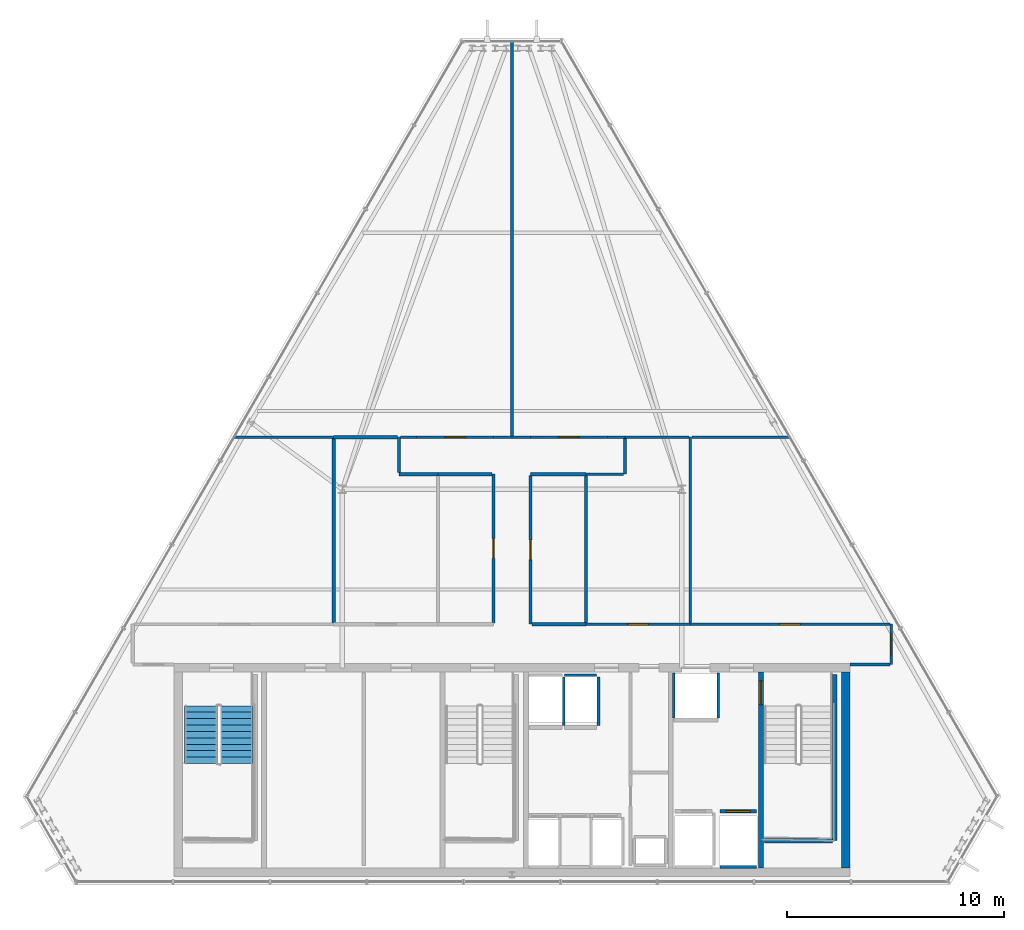
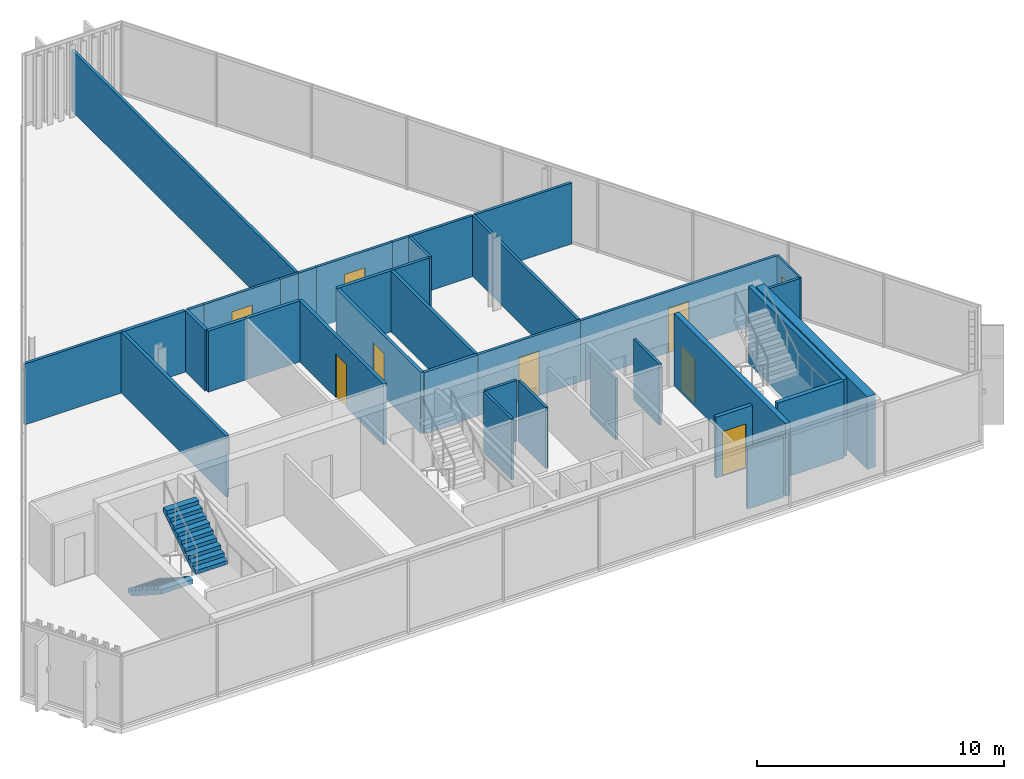
# One storey, part 28 of 32: 38 walls, 9 doors, 2 stair flights, 9 openings, 1 element without a shape of its own.
"""IFC4 building model written with IfcOpenShell, lengths in metres."""

from ifc_helpers import new_model, si_unit, direction, frame, frame_2d, origin, place, context, subcontext, project, spatial, polyline, rectangle, outline, extrude, material, layer, layer_set, type_object, element, fill, aggregate, save


model = new_model("IFC4")

# Units and contexts
model_context = context("Model", 3, precision=1e-05, world=origin(), true_north=direction((0.0, 1.0)))
body_context = subcontext(model_context, "Body", "Model", "MODEL_VIEW")
ifc_project = project(units=[si_unit("LENGTHUNIT", "METRE"), si_unit("AREAUNIT", "SQUARE_METRE"), si_unit("VOLUMEUNIT", "CUBIC_METRE"), si_unit("PLANEANGLEUNIT", "RADIAN"), si_unit("MASSUNIT", "GRAM", prefix="KILO")], contexts=[model_context])

# Site, building, storey
site_placement = place(None, origin())
site = spatial("IfcSite", under=ifc_project, at=site_placement, CompositionType="ELEMENT")
building_placement = place(site_placement, origin())
building = spatial("IfcBuilding", under=site, at=building_placement, Name="Ndaravel Arena Tower", CompositionType="ELEMENT")
storey_placement = place(building_placement, frame((0.0, 0.0, 287.10009765625)))
storey = spatial("IfcBuildingStorey", under=building, at=storey_placement, Name="L70", CompositionType="ELEMENT", Elevation=287.10009765625)

# Wall, opening, door
ifc_material_1 = material(Name="Concrete C50/60", Category="concrete")
ifc_layer_1 = layer(ifc_material_1, 0.219970703125)
ifc_layer_set_1 = layer_set([ifc_layer_1], Name="Concrete C50/60")
wall_type_1 = type_object("IfcWallType", Name="WALL-CORE-220", PredefinedType="SOLIDWALL", material=ifc_layer_set_1)
wall_1_placement = place(storey_placement, frame((53.449951171875, 5.800048828125, 0.0), z_axis=(0.0, 0.0, 1.0), x_axis=(0.0, 1.0, 0.0)))
wall_1 = element("IfcWall", 1, at=wall_1_placement, inside=storey, type_object=wall_type_1, Name="L70 Core Web Shear Wall 5", PredefinedType="SOLIDWALL", context=body_context, shape_type="SweptSolid", body=[
    extrude(rectangle(XDim=9.0, YDim=0.219970703125, at=frame_2d((4.5, 0.0))), origin(), (0.0, 0.0, 1.0), 3.579833984375),
])
opening_1_placement = place(wall_1_placement, frame((7.5, 0.0, 0.0)))
opening_1 = element("IfcOpeningElement", 2, at=opening_1_placement, cuts=wall_1, Name="Opening FD-01", PredefinedType="OPENING", context=body_context, shape_type="SweptSolid", body=[
    extrude(rectangle(XDim=1.10009765625, YDim=2.199951171875, at=frame_2d((0.550048828125, 1.10009765625))), frame((0.0, 0.10986328125, 0.0), z_axis=(0.0, -1.0, 0.0), x_axis=(1.0, 0.0, 0.0)), (0.0, 0.0, 1.0), 0.219970703125),
])
ifc_material_2 = material(Name="Steel S355", Category="steel")
door_type_1 = type_object("IfcDoorType", Name="DT-01-STAIR-1100", OperationType="SINGLE_SWING_LEFT", PredefinedType="DOOR", material=ifc_material_2)
door_1_placement = place(opening_1_placement, origin())
door_1 = element("IfcDoor", 3, at=door_1_placement, inside=storey, type_object=door_type_1, Name="L70 Firefighting Lobby to ST-3 Door", OperationType="SINGLE_SWING_LEFT", OverallHeight=2.199951171875, OverallWidth=1.10009765625, PredefinedType="DOOR", context=body_context, shape_type="SweptSolid", body=[
    extrude(rectangle(XDim=1.10009765625, YDim=2.199951171875, at=frame_2d((0.550048828125, 1.10009765625))), frame((0.0, 0.02490234375, 0.0), z_axis=(0.0, -1.0, 0.0), x_axis=(1.0, 0.0, 0.0)), (0.0, 0.0, 1.0), 0.050048828125),
])
fill(opening_1, door_1)

# Wall
ifc_material_3 = material(Name="Concrete C50/60", Category="concrete")
ifc_layer_2 = layer(ifc_material_3, 0.39990234375)
ifc_layer_set_2 = layer_set([ifc_layer_2], Name="Concrete C50/60")
wall_type_2 = type_object("IfcWallType", Name="WALL-CORE-400", PredefinedType="SOLIDWALL", material=ifc_layer_set_2)
wall_2_placement = place(storey_placement, frame((57.35009765625, 5.800048828125, 0.0), z_axis=(0.0, 0.0, 1.0), x_axis=(0.0, 1.0, 0.0)))
element("IfcWall", 4, at=wall_2_placement, inside=storey, type_object=wall_type_2, Name="L70 Core East Shear Wall", PredefinedType="SOLIDWALL", context=body_context, shape_type="SweptSolid", body=[
    extrude(rectangle(XDim=9.0, YDim=0.39990234375, at=frame_2d((4.5, 0.0))), origin(), (0.0, 0.0, 1.0), 3.579833984375),
])

# Wall, opening, door
ifc_material_4 = material(Name="Timber", Category="wood")
ifc_layer_3 = layer(ifc_material_4, 0.10009765625)
ifc_layer_set_3 = layer_set([ifc_layer_3], Name="Timber")
wall_type_3 = type_object("IfcWallType", Name="WALL-MOVABLE-100", PredefinedType="MOVABLE", material=ifc_layer_set_3)
wall_3_placement = place(storey_placement, frame((59.43408203125, 17.0, 0.0), z_axis=(0.0, 0.0, 1.0), x_axis=(0.0, -1.0, 0.0)))
wall_3 = element("IfcWall", 5, at=wall_3_placement, inside=storey, type_object=wall_type_3, Name="L70 Interior Partition 001", PredefinedType="MOVABLE", context=body_context, shape_type="SweptSolid", body=[
    extrude(rectangle(XDim=1.85009765625, YDim=0.10009765625, at=frame_2d((0.925048828125, 0.0))), origin(), (0.0, 0.0, 1.0), 3.010498046875),
])
opening_2_placement = place(wall_3_placement, frame((0.449951171875, 0.0, 0.0)))
opening_2 = element("IfcOpeningElement", 6, at=opening_2_placement, cuts=wall_3, Name="Opening ID-01", PredefinedType="OPENING", context=body_context, shape_type="SweptSolid", body=[
    extrude(rectangle(XDim=0.949951171875, YDim=2.199951171875, at=frame_2d((0.47509765625, 1.10009765625))), frame((0.0, 0.050048828125, 0.0), z_axis=(0.0, -1.0, 0.0), x_axis=(1.0, 0.0, 0.0)), (0.0, 0.0, 1.0), 0.10009765625),
])
ifc_material_5 = material(Name="Timber", Category="wood")
door_type_2 = type_object("IfcDoorType", Name="DT-03-OFFICE-950", OperationType="SINGLE_SWING_LEFT", PredefinedType="DOOR", material=ifc_material_5)
door_2_placement = place(opening_2_placement, origin())
door_2 = element("IfcDoor", 7, at=door_2_placement, inside=storey, type_object=door_type_2, Name="L70 Floor Security Control Room Door", OperationType="SINGLE_SWING_RIGHT", OverallHeight=2.199951171875, OverallWidth=0.949951171875, PredefinedType="DOOR", context=body_context, shape_type="SweptSolid", body=[
    extrude(rectangle(XDim=0.949951171875, YDim=2.199951171875, at=frame_2d((0.47509765625, 1.10009765625))), frame((0.0, 0.02490234375, 0.0), z_axis=(0.0, -1.0, 0.0), x_axis=(1.0, 0.0, 0.0)), (0.0, 0.0, 1.0), 0.050048828125),
])
fill(opening_2, door_2)

# Walls
ifc_material_6 = material(Name="Gypsum", Category="gypsum")
ifc_layer_4 = layer(ifc_material_6, 0.125)
ifc_layer_set_4 = layer_set([ifc_layer_4], Name="Gypsum")
wall_type_4 = type_object("IfcWallType", Name="WALL-PART-125", PredefinedType="PARTITIONING", material=ifc_layer_set_4)
wall_4_placement = place(storey_placement, frame((59.368896484375, 15.14990234375, 0.0), z_axis=(0.0, 0.0, 1.0), x_axis=(-1.0, 0.0, 0.0)))
element("IfcWall", 8, at=wall_4_placement, inside=storey, type_object=wall_type_4, Name="L70 Interior Partition 002", PredefinedType="PARTITIONING", context=body_context, shape_type="SweptSolid", body=[
    extrude(rectangle(XDim=1.81884765625, YDim=0.125, at=frame_2d((0.909423828125, 0.0))), origin(), (0.0, 0.0, 1.0), 3.010498046875),
])
wall_5_placement = place(storey_placement, frame((36.864990234375, 25.60009765625, 0.0), z_axis=(0.0, 0.0, 1.0), x_axis=(1.0, 0.0, 0.0)))
element("IfcWall", 9, at=wall_5_placement, inside=storey, type_object=wall_type_4, Name="L70 Interior Partition 012", PredefinedType="PARTITIONING", context=body_context, shape_type="SweptSolid", body=[
    extrude(rectangle(XDim=0.735107421875, YDim=0.125, at=frame_2d((0.36767578125, 0.0))), origin(), (0.0, 0.0, 1.0), 3.010498046875),
])

# Wall, opening, door
wall_6_placement = place(storey_placement, frame((37.60009765625, 25.60009765625, 0.0), z_axis=(0.0, 0.0, 1.0), x_axis=(1.0, 0.0, 0.0)))
wall_6 = element("IfcWall", 10, at=wall_6_placement, inside=storey, type_object=wall_type_4, Name="L70 Interior Partition 013", PredefinedType="PARTITIONING", context=body_context, shape_type="SweptSolid", body=[
    extrude(rectangle(XDim=3.5498046875, YDim=0.125, at=frame_2d((1.77490234375, 0.0))), origin(), (0.0, 0.0, 1.0), 3.010498046875),
])
opening_3_placement = place(wall_6_placement, frame((1.300048828125, 0.0, 0.0)))
opening_3 = element("IfcOpeningElement", 11, at=opening_3_placement, cuts=wall_6, Name="Opening ID-01", PredefinedType="OPENING", context=body_context, shape_type="SweptSolid", body=[
    extrude(rectangle(XDim=0.949951171875, YDim=2.199951171875, at=frame_2d((0.47509765625, 1.10009765625))), frame((0.0, 0.0625, 0.0), z_axis=(0.0, -1.0, 0.0), x_axis=(1.0, 0.0, 0.0)), (0.0, 0.0, 1.0), 0.125),
])
door_3_placement = place(opening_3_placement, origin())
door_3 = element("IfcDoor", 12, at=door_3_placement, inside=storey, type_object=door_type_2, Name="L70 Tenant Mail & Post Room 2 Door", OperationType="SINGLE_SWING_LEFT", OverallHeight=2.199951171875, OverallWidth=0.949951171875, PredefinedType="DOOR", context=body_context, shape_type="SweptSolid", body=[
    extrude(rectangle(XDim=0.949951171875, YDim=2.199951171875, at=frame_2d((0.47509765625, 1.10009765625))), frame((0.0, 0.02490234375, 0.0), z_axis=(0.0, -1.0, 0.0), x_axis=(1.0, 0.0, 0.0)), (0.0, 0.0, 1.0), 0.050048828125),
])
fill(opening_3, door_3)

# Walls
for number, where, z_axis, x_axis, name in (
    (13, (41.14990234375, 25.60009765625, 0.0), (0.0, 0.0, 1.0), (1.0, 0.0, 0.0), "L70 Interior Partition 014"),
    (14, (42.0, 25.60009765625, 0.0), (0.0, 0.0, 1.0), (1.0, 0.0, 0.0), "L70 Interior Partition 015"),
):
    element("IfcWall", number, at=place(storey_placement, frame(where, z_axis=z_axis, x_axis=x_axis)), inside=storey, type_object=wall_type_4, Name=name, PredefinedType="PARTITIONING", context=body_context, shape_type="SweptSolid", body=[
        extrude(rectangle(XDim=0.85009765625, YDim=0.125, at=frame_2d((0.425048828125, 0.0))), origin(), (0.0, 0.0, 1.0), 3.010498046875),
    ])

# Wall, opening, door
wall_7_placement = place(storey_placement, frame((42.85009765625, 25.60009765625, 0.0), z_axis=(0.0, 0.0, 1.0), x_axis=(1.0, 0.0, 0.0)))
wall_7 = element("IfcWall", 15, at=wall_7_placement, inside=storey, type_object=wall_type_4, Name="L70 Interior Partition 016", PredefinedType="PARTITIONING", context=body_context, shape_type="SweptSolid", body=[
    extrude(rectangle(XDim=3.5498046875, YDim=0.125, at=frame_2d((1.77490234375, 0.0))), origin(), (0.0, 0.0, 1.0), 3.010498046875),
])
opening_4_placement = place(wall_7_placement, frame((1.300048828125, 0.0, 0.0)))
opening_4 = element("IfcOpeningElement", 16, at=opening_4_placement, cuts=wall_7, Name="Opening ID-01", PredefinedType="OPENING", context=body_context, shape_type="SweptSolid", body=[
    extrude(rectangle(XDim=0.949951171875, YDim=2.199951171875, at=frame_2d((0.47509765625, 1.10009765625))), frame((0.0, 0.0625, 0.0), z_axis=(0.0, -1.0, 0.0), x_axis=(1.0, 0.0, 0.0)), (0.0, 0.0, 1.0), 0.125),
])
door_4_placement = place(opening_4_placement, origin())
door_4 = element("IfcDoor", 17, at=door_4_placement, inside=storey, type_object=door_type_2, Name="L70 Facilities Operations Room 3 Door", OperationType="SINGLE_SWING_RIGHT", OverallHeight=2.199951171875, OverallWidth=0.949951171875, PredefinedType="DOOR", context=body_context, shape_type="SweptSolid", body=[
    extrude(rectangle(XDim=0.949951171875, YDim=2.199951171875, at=frame_2d((0.47509765625, 1.10009765625))), frame((0.0, 0.02490234375, 0.0), z_axis=(0.0, -1.0, 0.0), x_axis=(1.0, 0.0, 0.0)), (0.0, 0.0, 1.0), 0.050048828125),
])
fill(opening_4, door_4)

# Walls
wall_8_placement = place(storey_placement, frame((46.39990234375, 25.60009765625, 0.0), z_axis=(0.0, 0.0, 1.0), x_axis=(1.0, 0.0, 0.0)))
element("IfcWall", 18, at=wall_8_placement, inside=storey, type_object=wall_type_4, Name="L70 Interior Partition 017", PredefinedType="PARTITIONING", context=body_context, shape_type="SweptSolid", body=[
    extrude(rectangle(XDim=0.800048828125, YDim=0.125, at=frame_2d((0.39990234375, 0.0))), origin(), (0.0, 0.0, 1.0), 3.010498046875),
])
wall_9_placement = place(storey_placement, frame((47.199951171875, 25.534912109375, 0.0), z_axis=(0.0, 0.0, 1.0), x_axis=(0.0, -1.0, 0.0)))
element("IfcWall", 19, at=wall_9_placement, inside=storey, type_object=wall_type_4, Name="L70 Interior Partition 018", PredefinedType="PARTITIONING", context=body_context, shape_type="SweptSolid", body=[
    extrude(rectangle(XDim=1.635009765625, YDim=0.125, at=frame_2d((0.8173828125, 0.0))), origin(), (0.0, 0.0, 1.0), 3.010498046875),
])
wall_10_placement = place(storey_placement, frame((47.135009765625, 23.89990234375, 0.0), z_axis=(0.0, 0.0, 1.0), x_axis=(-1.0, 0.0, 0.0)))
element("IfcWall", 20, at=wall_10_placement, inside=storey, type_object=wall_type_4, Name="L70 Interior Partition 019", PredefinedType="PARTITIONING", context=body_context, shape_type="SweptSolid", body=[
    extrude(rectangle(XDim=1.735107421875, YDim=0.125, at=frame_2d((0.86767578125, 0.0))), origin(), (0.0, 0.0, 1.0), 3.010498046875),
])

# Wall, opening, door
wall_11_placement = place(storey_placement, frame((45.39990234375, 17.0, 0.0), z_axis=(0.0, 0.0, 1.0), x_axis=(1.0, 0.0, 0.0)))
wall_11 = element("IfcWall", 21, at=wall_11_placement, inside=storey, type_object=wall_type_4, Name="L70 Interior Partition 023", PredefinedType="PARTITIONING", context=body_context, shape_type="SweptSolid", body=[
    extrude(rectangle(XDim=4.800048828125, YDim=0.125, at=frame_2d((2.39990234375, 0.0))), origin(), (0.0, 0.0, 1.0), 3.010498046875),
])
opening_5_placement = place(wall_11_placement, frame((1.925048828125, 0.0, 0.0)))
opening_5 = element("IfcOpeningElement", 22, at=opening_5_placement, cuts=wall_11, Name="Opening ID-01", PredefinedType="OPENING", context=body_context, shape_type="SweptSolid", body=[
    extrude(rectangle(XDim=0.949951171875, YDim=2.199951171875, at=frame_2d((0.47509765625, 1.10009765625))), frame((0.0, 0.0625, 0.0), z_axis=(0.0, -1.0, 0.0), x_axis=(1.0, 0.0, 0.0)), (0.0, 0.0, 1.0), 0.125),
])
door_5_placement = place(opening_5_placement, origin())
door_5 = element("IfcDoor", 23, at=door_5_placement, inside=storey, type_object=door_type_2, Name="L70 Barista Galley 3 Door", OperationType="SINGLE_SWING_RIGHT", OverallHeight=2.199951171875, OverallWidth=0.949951171875, PredefinedType="DOOR", context=body_context, shape_type="SweptSolid", body=[
    extrude(rectangle(XDim=0.949951171875, YDim=2.199951171875, at=frame_2d((0.47509765625, 1.10009765625))), frame((0.0, 0.02490234375, 0.0), z_axis=(0.0, -1.0, 0.0), x_axis=(1.0, 0.0, 0.0)), (0.0, 0.0, 1.0), 0.050048828125),
])
fill(opening_5, door_5)

wall_12_placement = place(storey_placement, frame((50.199951171875, 17.0, 0.0), z_axis=(0.0, 0.0, 1.0), x_axis=(1.0, 0.0, 0.0)))
wall_12 = element("IfcWall", 24, at=wall_12_placement, inside=storey, type_object=wall_type_4, Name="L70 Interior Partition 024", PredefinedType="PARTITIONING", context=body_context, shape_type="SweptSolid", body=[
    extrude(rectangle(XDim=9.1689453125, YDim=0.125, at=frame_2d((4.58447265625, 0.0))), origin(), (0.0, 0.0, 1.0), 3.010498046875),
])
opening_6_placement = place(wall_12_placement, frame((4.109619140625, 0.0, 0.0)))
opening_6 = element("IfcOpeningElement", 25, at=opening_6_placement, cuts=wall_12, Name="Opening ID-01", PredefinedType="OPENING", context=body_context, shape_type="SweptSolid", body=[
    extrude(rectangle(XDim=0.949951171875, YDim=2.199951171875, at=frame_2d((0.47509765625, 1.10009765625))), frame((0.0, 0.0625, 0.0), z_axis=(0.0, -1.0, 0.0), x_axis=(1.0, 0.0, 0.0)), (0.0, 0.0, 1.0), 0.125),
])
door_6_placement = place(opening_6_placement, origin())
door_6 = element("IfcDoor", 26, at=door_6_placement, inside=storey, type_object=door_type_2, Name="L70 Open Plan Workplace Door", OperationType="SINGLE_SWING_RIGHT", OverallHeight=2.199951171875, OverallWidth=0.949951171875, PredefinedType="DOOR", context=body_context, shape_type="SweptSolid", body=[
    extrude(rectangle(XDim=0.949951171875, YDim=2.199951171875, at=frame_2d((0.47509765625, 1.10009765625))), frame((0.0, 0.02490234375, 0.0), z_axis=(0.0, -1.0, 0.0), x_axis=(1.0, 0.0, 0.0)), (0.0, 0.0, 1.0), 0.050048828125),
])
fill(opening_6, door_6)

# Walls
wall_13_placement = place(storey_placement, frame((29.22119140625, 25.60009765625, 0.0), z_axis=(0.0, 0.0, 1.0), x_axis=(1.0, 0.0, 0.0)))
element("IfcWall", 27, at=wall_13_placement, inside=storey, type_object=wall_type_4, Name="L70 Interior Partition 027", PredefinedType="PARTITIONING", context=body_context, shape_type="SweptSolid", body=[
    extrude(rectangle(XDim=4.578857421875, YDim=0.125, at=frame_2d((2.28955078125, 0.0))), origin(), (0.0, 0.0, 1.0), 3.010498046875),
])
wall_14_placement = place(storey_placement, frame((50.199951171875, 17.06494140625, 0.0), z_axis=(0.0, 0.0, 1.0), x_axis=(0.0, 1.0, 0.0)))
element("IfcWall", 28, at=wall_14_placement, inside=storey, type_object=wall_type_4, Name="L70 Interior Partition 029", PredefinedType="PARTITIONING", context=body_context, shape_type="SweptSolid", body=[
    extrude(rectangle(XDim=8.53515625, YDim=0.125, at=frame_2d((4.267578125, 0.0))), origin(), (0.0, 0.0, 1.0), 3.010498046875),
])
wall_15_placement = place(storey_placement, frame((50.264892578125, 25.60009765625, 0.0), z_axis=(0.0, 0.0, 1.0), x_axis=(1.0, 0.0, 0.0)))
element("IfcWall", 29, at=wall_15_placement, inside=storey, type_object=wall_type_4, Name="L70 Interior Partition 030", PredefinedType="PARTITIONING", context=body_context, shape_type="SweptSolid", body=[
    extrude(rectangle(XDim=4.513916015625, YDim=0.125, at=frame_2d((2.2568359375, 0.0))), origin(), (0.0, 0.0, 1.0), 3.010498046875),
])
wall_16_placement = place(storey_placement, frame((47.199951171875, 25.60009765625, 0.0), z_axis=(0.0, 0.0, 1.0), x_axis=(1.0, 0.0, 0.0)))
element("IfcWall", 30, at=wall_16_placement, inside=storey, type_object=wall_type_4, Name="L70 Interior Partition 032", PredefinedType="PARTITIONING", context=body_context, shape_type="SweptSolid", body=[
    extrude(rectangle(XDim=2.93505859375, YDim=0.125, at=frame_2d((1.467529296875, 0.0))), origin(), (0.0, 0.0, 1.0), 3.010498046875),
])
wall_17_placement = place(storey_placement, frame((42.0, 43.797607421875, 0.0), z_axis=(0.0, 0.0, 1.0), x_axis=(0.0, -1.0, 0.0)))
element("IfcWall", 31, at=wall_17_placement, inside=storey, type_object=wall_type_4, Name="L70 Interior Partition 033", PredefinedType="PARTITIONING", context=body_context, shape_type="SweptSolid", body=[
    extrude(rectangle(XDim=18.132568359375, YDim=0.125, at=frame_2d((9.06640625, 0.0))), origin(), (0.0, 0.0, 1.0), 3.010498046875),
])
ifc_material_7 = material(Name="Concrete C40/50", Category="concrete")
ifc_layer_5 = layer(ifc_material_7, 0.1201171875)
ifc_layer_set_5 = layer_set([ifc_layer_5], Name="Concrete C40/50")
wall_type_5 = type_object("IfcWallType", Name="WALL-SHAFT-120", PredefinedType="SOLIDWALL", material=ifc_layer_set_5)
wall_18_placement = place(storey_placement, frame((44.375, 12.340087890625, 0.0), z_axis=(0.0, 0.0, 1.0), x_axis=(0.0, 1.0, 0.0)))
element("IfcWall", 32, at=wall_18_placement, inside=storey, type_object=wall_type_5, Name="L70 PL-OBS1 Shaft Side R Wall", PredefinedType="SOLIDWALL", context=body_context, shape_type="SweptSolid", body=[
    extrude(rectangle(XDim=2.22998046875, YDim=0.1201171875, at=frame_2d((1.114990234375, 0.0))), origin(), (0.0, 0.0, 1.0), 3.010498046875),
])
wall_19_placement = place(storey_placement, frame((44.405029296875, 14.659912109375, 0.0), z_axis=(0.0, 0.0, 1.0), x_axis=(1.0, 0.0, 0.0)))
element("IfcWall", 33, at=wall_19_placement, inside=storey, type_object=wall_type_5, Name="L70 PL-OBS2 Shaft Rear Wall", PredefinedType="SOLIDWALL", context=body_context, shape_type="SweptSolid", body=[
    extrude(rectangle(XDim=1.489990234375, YDim=0.1201171875, at=frame_2d((0.7451171875, 0.0))), origin(), (0.0, 0.0, 1.0), 3.010498046875),
])
wall_20_placement = place(storey_placement, frame((45.97509765625, 12.340087890625, 0.0), z_axis=(0.0, 0.0, 1.0), x_axis=(0.0, 1.0, 0.0)))
element("IfcWall", 34, at=wall_20_placement, inside=storey, type_object=wall_type_5, Name="L70 PL-OBS2 Shaft Side R Wall", PredefinedType="SOLIDWALL", context=body_context, shape_type="SweptSolid", body=[
    extrude(rectangle(XDim=2.22998046875, YDim=0.1201171875, at=frame_2d((1.114990234375, 0.0))), origin(), (0.0, 0.0, 1.0), 3.010498046875),
])
wall_21_placement = place(storey_placement, frame((51.554931640625, 5.840087890625, 0.0), z_axis=(0.0, 0.0, 1.0), x_axis=(1.0, 0.0, 0.0)))
element("IfcWall", 35, at=wall_21_placement, inside=storey, type_object=wall_type_5, Name="L70 FFL-2 Shaft Rear Wall", PredefinedType="SOLIDWALL", context=body_context, shape_type="SweptSolid", body=[
    extrude(rectangle(XDim=1.690185546875, YDim=0.1201171875, at=frame_2d((0.84521484375, 0.0))), origin(), (0.0, 0.0, 1.0), 3.010498046875),
])
for number, where, z_axis, x_axis, name in (
    (36, (49.43994140625, 12.68994140625, 0.0), (0.0, 0.0, 1.0), (0.0, 1.0, 0.0), "L70 SVL-1 Shaft W Wall"),
    (37, (51.47998046875, 12.68994140625, 0.0), (0.0, 0.0, 1.0), (0.0, 1.0, 0.0), "L70 SVL-1 Shaft E Wall"),
):
    element("IfcWall", number, at=place(storey_placement, frame(where, z_axis=z_axis, x_axis=x_axis)), inside=storey, type_object=wall_type_5, Name=name, PredefinedType="SOLIDWALL", context=body_context, shape_type="SweptSolid", body=[
        extrude(rectangle(XDim=2.070068359375, YDim=0.1201171875, at=frame_2d((1.03515625, 0.0))), origin(), (0.0, 0.0, 1.0), 3.010498046875),
    ])
ifc_material_8 = material(Name="Concrete C40/50", Category="concrete")
ifc_layer_6 = layer(ifc_material_8, 0.199951171875)
ifc_layer_set_6 = layer_set([ifc_layer_6], Name="Concrete C40/50")
wall_type_6 = type_object("IfcWallType", Name="WALL-SHAFT-200", PredefinedType="SOLIDWALL", material=ifc_layer_set_6)
wall_22_placement = place(storey_placement, frame((56.840087890625, 14.699951171875, 0.0), z_axis=(0.0, 0.0, 1.0), x_axis=(0.0, -1.0, 0.0)))
element("IfcWall", 38, at=wall_22_placement, inside=storey, type_object=wall_type_6, Name="L70 ST-3 Structural Shaft Wall Right", PredefinedType="SOLIDWALL", context=body_context, shape_type="SweptSolid", body=[
    extrude(rectangle(XDim=7.64990234375, YDim=0.199951171875, at=frame_2d((3.824951171875, 0.0))), origin(), (0.0, 0.0, 1.0), 3.7998046875),
])
wall_23_placement = place(storey_placement, frame((53.6201171875, 7.050048828125, 0.0), z_axis=(0.0, 0.0, 1.0), x_axis=(1.0, 0.0, 0.0)))
element("IfcWall", 39, at=wall_23_placement, inside=storey, type_object=wall_type_6, Name="L70 ST-3 Structural Shaft Wall Far", PredefinedType="SOLIDWALL", context=body_context, shape_type="SweptSolid", body=[
    extrude(rectangle(XDim=3.114990234375, YDim=0.199951171875, at=frame_2d((1.5576171875, 0.0))), origin(), (0.0, 0.0, 1.0), 3.7998046875),
])

# Wall, opening, door
wall_24_placement = place(storey_placement, frame((51.554931640625, 8.39990234375, 0.0), z_axis=(0.0, 0.0, 1.0), x_axis=(1.0, 0.0, 0.0)))
wall_24 = element("IfcWall", 40, at=wall_24_placement, inside=storey, type_object=wall_type_6, Name="L70 FFL-2 Shaft Landing Wall", PredefinedType="SOLIDWALL", context=body_context, shape_type="SweptSolid", body=[
    extrude(rectangle(XDim=1.690185546875, YDim=0.179931640625, at=frame_2d((0.84521484375, 0.0))), origin(), (0.0, 0.0, 1.0), 3.010498046875),
])
opening_7_placement = place(wall_24_placement, frame((0.294921875, 0.0, 0.0)))
opening_7 = element("IfcOpeningElement", 41, at=opening_7_placement, cuts=wall_24, Name="Opening LD-01", PredefinedType="OPENING", context=body_context, shape_type="SweptSolid", body=[
    extrude(rectangle(XDim=1.10009765625, YDim=2.199951171875, at=frame_2d((0.550048828125, 1.10009765625))), frame((0.0, 0.08984375, 0.0), z_axis=(0.0, -1.0, 0.0), x_axis=(1.0, 0.0, 0.0)), (0.0, 0.0, 1.0), 0.179931640625),
])
ifc_material_9 = material(Name="Steel S355", Category="steel")
door_type_3 = type_object("IfcDoorType", Name="DT-06-LIFT-1100", OperationType="SLIDING_TO_LEFT", PredefinedType="DOOR", material=ifc_material_9)
door_7_placement = place(opening_7_placement, origin())
door_7 = element("IfcDoor", 42, at=door_7_placement, inside=storey, type_object=door_type_3, Name="L70 Lift FFL-2 Sliding Landing Door", OperationType="SLIDING_TO_LEFT", OverallHeight=2.199951171875, OverallWidth=1.10009765625, PredefinedType="DOOR", context=body_context, shape_type="SweptSolid", body=[
    extrude(rectangle(XDim=1.10009765625, YDim=2.199951171875, at=frame_2d((0.550048828125, 1.10009765625))), frame((0.0, 0.02490234375, 0.0), z_axis=(0.0, -1.0, 0.0), x_axis=(1.0, 0.0, 0.0)), (0.0, 0.0, 1.0), 0.050048828125),
])
fill(opening_7, door_7)

ifc_material_10 = material(Name="Masonry", Category="masonry")
ifc_layer_7 = layer(ifc_material_10, 0.14990234375)
ifc_layer_set_7 = layer_set([ifc_layer_7], Name="Masonry")
wall_type_7 = type_object("IfcWallType", Name="WALL-WET-150", PredefinedType="PARTITIONING", material=ifc_layer_set_7)
wall_25_placement = place(storey_placement, frame((41.14990234375, 17.06494140625, 0.0), z_axis=(0.0, 0.0, 1.0), x_axis=(0.0, 1.0, 0.0)))
wall_25 = element("IfcWall", 43, at=wall_25_placement, inside=storey, type_object=wall_type_7, Name="L70 Interior Partition 008", PredefinedType="PARTITIONING", context=body_context, shape_type="SweptSolid", body=[
    extrude(rectangle(XDim=6.8349609375, YDim=0.14990234375, at=frame_2d((3.41748046875, 0.0))), origin(), (0.0, 0.0, 1.0), 3.010498046875),
])
opening_8_placement = place(wall_25_placement, frame((2.967529296875, 0.0, 0.0)))
opening_8 = element("IfcOpeningElement", 44, at=opening_8_placement, cuts=wall_25, Name="Opening WD-01", PredefinedType="OPENING", context=body_context, shape_type="SweptSolid", body=[
    extrude(rectangle(XDim=0.89990234375, YDim=2.14990234375, at=frame_2d((0.449951171875, 1.074951171875))), frame((0.0, 0.074951171875, 0.0), z_axis=(0.0, -1.0, 0.0), x_axis=(1.0, 0.0, 0.0)), (0.0, 0.0, 1.0), 0.14990234375),
])
ifc_material_11 = material(Name="Timber", Category="wood")
door_type_4 = type_object("IfcDoorType", Name="DT-05-WC-900", OperationType="SINGLE_SWING_LEFT", PredefinedType="DOOR", material=ifc_material_11)
door_8_placement = place(opening_8_placement, origin())
door_8 = element("IfcDoor", 45, at=door_8_placement, inside=storey, type_object=door_type_4, Name="L70 Male Staff & Visitor Restroom Door", OperationType="SINGLE_SWING_LEFT", OverallHeight=2.14990234375, OverallWidth=0.89990234375, PredefinedType="DOOR", context=body_context, shape_type="SweptSolid", body=[
    extrude(rectangle(XDim=0.89990234375, YDim=2.14990234375, at=frame_2d((0.449951171875, 1.074951171875))), frame((0.0, 0.02490234375, 0.0), z_axis=(0.0, -1.0, 0.0), x_axis=(1.0, 0.0, 0.0)), (0.0, 0.0, 1.0), 0.050048828125),
])
fill(opening_8, door_8)

# Walls
wall_26_placement = place(storey_placement, frame((41.0849609375, 23.89990234375, 0.0), z_axis=(0.0, 0.0, 1.0), x_axis=(-1.0, 0.0, 0.0)))
element("IfcWall", 46, at=wall_26_placement, inside=storey, type_object=wall_type_7, Name="L70 Interior Partition 009", PredefinedType="PARTITIONING", context=body_context, shape_type="SweptSolid", body=[
    extrude(rectangle(XDim=2.48486328125, YDim=0.14990234375, at=frame_2d((1.242431640625, 0.0))), origin(), (0.0, 0.0, 1.0), 3.010498046875),
])
wall_27_placement = place(storey_placement, frame((38.60009765625, 23.89990234375, 0.0), z_axis=(0.0, 0.0, 1.0), x_axis=(-1.0, 0.0, 0.0)))
element("IfcWall", 47, at=wall_27_placement, inside=storey, type_object=wall_type_7, Name="L70 Interior Partition 010", PredefinedType="PARTITIONING", context=body_context, shape_type="SweptSolid", body=[
    extrude(rectangle(XDim=1.800048828125, YDim=0.14990234375, at=frame_2d((0.89990234375, 0.0))), origin(), (0.0, 0.0, 1.0), 3.010498046875),
])
wall_28_placement = place(storey_placement, frame((36.800048828125, 23.965087890625, 0.0), z_axis=(0.0, 0.0, 1.0), x_axis=(0.0, 1.0, 0.0)))
element("IfcWall", 48, at=wall_28_placement, inside=storey, type_object=wall_type_7, Name="L70 Interior Partition 011", PredefinedType="PARTITIONING", context=body_context, shape_type="SweptSolid", body=[
    extrude(rectangle(XDim=1.635009765625, YDim=0.14990234375, at=frame_2d((0.8173828125, 0.0))), origin(), (0.0, 0.0, 1.0), 3.010498046875),
])
wall_29_placement = place(storey_placement, frame((45.39990234375, 23.89990234375, 0.0), z_axis=(0.0, 0.0, 1.0), x_axis=(-1.0, 0.0, 0.0)))
element("IfcWall", 49, at=wall_29_placement, inside=storey, type_object=wall_type_7, Name="L70 Interior Partition 020", PredefinedType="PARTITIONING", context=body_context, shape_type="SweptSolid", body=[
    extrude(rectangle(XDim=2.5498046875, YDim=0.14990234375, at=frame_2d((1.27490234375, 0.0))), origin(), (0.0, 0.0, 1.0), 3.010498046875),
])

# Wall, opening, door
wall_30_placement = place(storey_placement, frame((42.85009765625, 23.8349609375, 0.0), z_axis=(0.0, 0.0, 1.0), x_axis=(0.0, -1.0, 0.0)))
wall_30 = element("IfcWall", 50, at=wall_30_placement, inside=storey, type_object=wall_type_7, Name="L70 Interior Partition 021", PredefinedType="PARTITIONING", context=body_context, shape_type="SweptSolid", body=[
    extrude(rectangle(XDim=6.8349609375, YDim=0.14990234375, at=frame_2d((3.41748046875, 0.0))), origin(), (0.0, 0.0, 1.0), 3.010498046875),
])
opening_9_placement = place(wall_30_placement, frame((2.967529296875, 0.0, 0.0)))
opening_9 = element("IfcOpeningElement", 51, at=opening_9_placement, cuts=wall_30, Name="Opening WD-01", PredefinedType="OPENING", context=body_context, shape_type="SweptSolid", body=[
    extrude(rectangle(XDim=0.89990234375, YDim=2.14990234375, at=frame_2d((0.449951171875, 1.074951171875))), frame((0.0, 0.074951171875, 0.0), z_axis=(0.0, -1.0, 0.0), x_axis=(1.0, 0.0, 0.0)), (0.0, 0.0, 1.0), 0.14990234375),
])
door_9_placement = place(opening_9_placement, origin())
door_9 = element("IfcDoor", 52, at=door_9_placement, inside=storey, type_object=door_type_4, Name="L70 Female & Accessible Restroom Door", OperationType="SINGLE_SWING_RIGHT", OverallHeight=2.14990234375, OverallWidth=0.89990234375, PredefinedType="DOOR", context=body_context, shape_type="SweptSolid", body=[
    extrude(rectangle(XDim=0.89990234375, YDim=2.14990234375, at=frame_2d((0.449951171875, 1.074951171875))), frame((0.0, 0.02490234375, 0.0), z_axis=(0.0, -1.0, 0.0), x_axis=(1.0, 0.0, 0.0)), (0.0, 0.0, 1.0), 0.050048828125),
])
fill(opening_9, door_9)

# Walls
wall_31_placement = place(storey_placement, frame((42.9150390625, 17.0, 0.0), z_axis=(0.0, 0.0, 1.0), x_axis=(1.0, 0.0, 0.0)))
element("IfcWall", 53, at=wall_31_placement, inside=storey, type_object=wall_type_7, Name="L70 Interior Partition 022", PredefinedType="PARTITIONING", context=body_context, shape_type="SweptSolid", body=[
    extrude(rectangle(XDim=2.48486328125, YDim=0.14990234375, at=frame_2d((1.242431640625, 0.0))), origin(), (0.0, 0.0, 1.0), 3.010498046875),
])
wall_32_placement = place(storey_placement, frame((45.39990234375, 23.8349609375, 0.0), z_axis=(0.0, 0.0, 1.0), x_axis=(0.0, -1.0, 0.0)))
element("IfcWall", 54, at=wall_32_placement, inside=storey, type_object=wall_type_7, Name="L70 Interior Partition 026", PredefinedType="PARTITIONING", context=body_context, shape_type="SweptSolid", body=[
    extrude(rectangle(XDim=6.77001953125, YDim=0.14990234375, at=frame_2d((3.385009765625, 0.0))), origin(), (0.0, 0.0, 1.0), 3.010498046875),
])
wall_33_placement = place(storey_placement, frame((33.800048828125, 25.534912109375, 0.0), z_axis=(0.0, 0.0, 1.0), x_axis=(0.0, -1.0, 0.0)))
element("IfcWall", 55, at=wall_33_placement, inside=storey, type_object=wall_type_7, Name="L70 Interior Partition 028", PredefinedType="PARTITIONING", context=body_context, shape_type="SweptSolid", body=[
    extrude(rectangle(XDim=8.469970703125, YDim=0.14990234375, at=frame_2d((4.23486328125, 0.0))), origin(), (0.0, 0.0, 1.0), 3.010498046875),
])
wall_34_placement = place(storey_placement, frame((33.800048828125, 25.60009765625, 0.0), z_axis=(0.0, 0.0, 1.0), x_axis=(1.0, 0.0, 0.0)))
element("IfcWall", 56, at=wall_34_placement, inside=storey, type_object=wall_type_7, Name="L70 Interior Partition 031", PredefinedType="PARTITIONING", context=body_context, shape_type="SweptSolid", body=[
    extrude(rectangle(XDim=2.93505859375, YDim=0.14990234375, at=frame_2d((1.467529296875, 0.0))), origin(), (0.0, 0.0, 1.0), 3.010498046875),
])

# Stair, stair flights
ifc_material_12 = material(Name="Concrete C40/50", Category="concrete")
stair_type = type_object("IfcStairType", Name="STAIR-CORE-HT", PredefinedType="HALF_TURN_STAIR", material=ifc_material_12)
stair_placement = place(storey_placement, origin())
stair = element("IfcStair", 57, at=stair_placement, inside=storey, type_object=stair_type, Name="L70 ST-1", PredefinedType="HALF_TURN_STAIR")
ifc_material_13 = material(Name="Concrete C40/50", Category="concrete")
stair_flight_type = type_object("IfcStairFlightType", Name="SFLIGHT-CORE-1680", PredefinedType="STRAIGHT", material=ifc_material_13)
stair_flight_1_placement = place(storey_placement, frame((27.699951171875, 13.25, 0.0), z_axis=(0.0, 0.0, 1.0), x_axis=(0.0, -1.0, 0.0)))
stair_flight_1 = element("IfcStairFlight", 58, at=stair_flight_1_placement, type_object=stair_flight_type, Name="ST-1 flight 1", NumberOfRisers=10, NumberOfTreads=9, PredefinedType="STRAIGHT", RiserHeight=0.19, TreadLength=0.295, context=body_context, shape_type="SweptSolid", body=[
    extrude(outline(polyline([(0.0, 0.0), (0.0, 0.18994140625), (0.294921875, 0.18994140625), (0.294921875, 0.3798828125), (0.590087890625, 0.3798828125), (0.590087890625, 0.570068359375), (0.885009765625, 0.570068359375), (0.885009765625, 0.760009765625), (1.179931640625, 0.760009765625), (1.179931640625, 0.949951171875), (1.47509765625, 0.949951171875), (1.47509765625, 1.139892578125), (1.77001953125, 1.139892578125), (1.77001953125, 1.330078125), (2.06494140625, 1.330078125), (2.06494140625, 1.52001953125), (2.360107421875, 1.52001953125), (2.360107421875, 1.7099609375), (2.655029296875, 1.7099609375), (2.655029296875, 1.89990234375), (2.655029296875, 1.49609375), (0.332275390625, 0.0), (0.0, 0.0)])), frame((0.0, 0.75, 0.0), z_axis=(0.0, -1.0, 0.0), x_axis=(1.0, 0.0, 0.0)), (0.0, 0.0, 1.0), 1.5),
])
stair_flight_2_placement = place(storey_placement, frame((29.340087890625, 10.594970703125, 1.89990234375), z_axis=(0.0, 0.0, 1.0), x_axis=(0.0, 1.0, 0.0)))
stair_flight_2 = element("IfcStairFlight", 59, at=stair_flight_2_placement, type_object=stair_flight_type, Name="ST-1 flight 2", NumberOfRisers=10, NumberOfTreads=9, PredefinedType="STRAIGHT", RiserHeight=0.19, TreadLength=0.295, context=body_context, shape_type="SweptSolid", body=[
    extrude(outline(polyline([(0.0, 0.0), (0.0, 0.18994140625), (0.294921875, 0.18994140625), (0.294921875, 0.3798828125), (0.590087890625, 0.3798828125), (0.590087890625, 0.570068359375), (0.885009765625, 0.570068359375), (0.885009765625, 0.760009765625), (1.179931640625, 0.760009765625), (1.179931640625, 0.949951171875), (1.47509765625, 0.949951171875), (1.47509765625, 1.139892578125), (1.77001953125, 1.139892578125), (1.77001953125, 1.330078125), (2.06494140625, 1.330078125), (2.06494140625, 1.52001953125), (2.360107421875, 1.52001953125), (2.360107421875, 1.7099609375), (2.655029296875, 1.7099609375), (2.655029296875, 1.89990234375), (2.655029296875, 1.49609375), (0.332275390625, 0.0), (0.0, 0.0)])), frame((0.0, 0.75, 0.0), z_axis=(0.0, -1.0, 0.0), x_axis=(1.0, 0.0, 0.0)), (0.0, 0.0, 1.0), 1.5),
])
aggregate(stair, [stair_flight_1, stair_flight_2])

save(model, "model.ifc")
